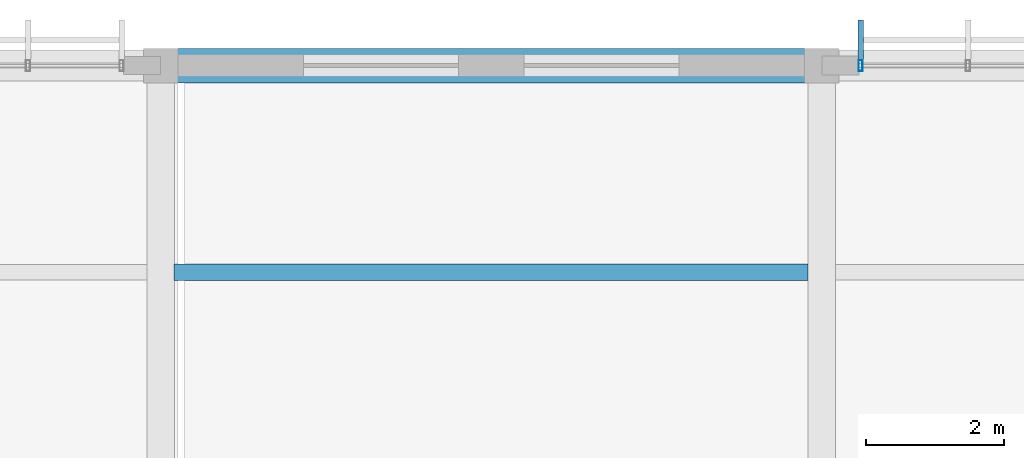
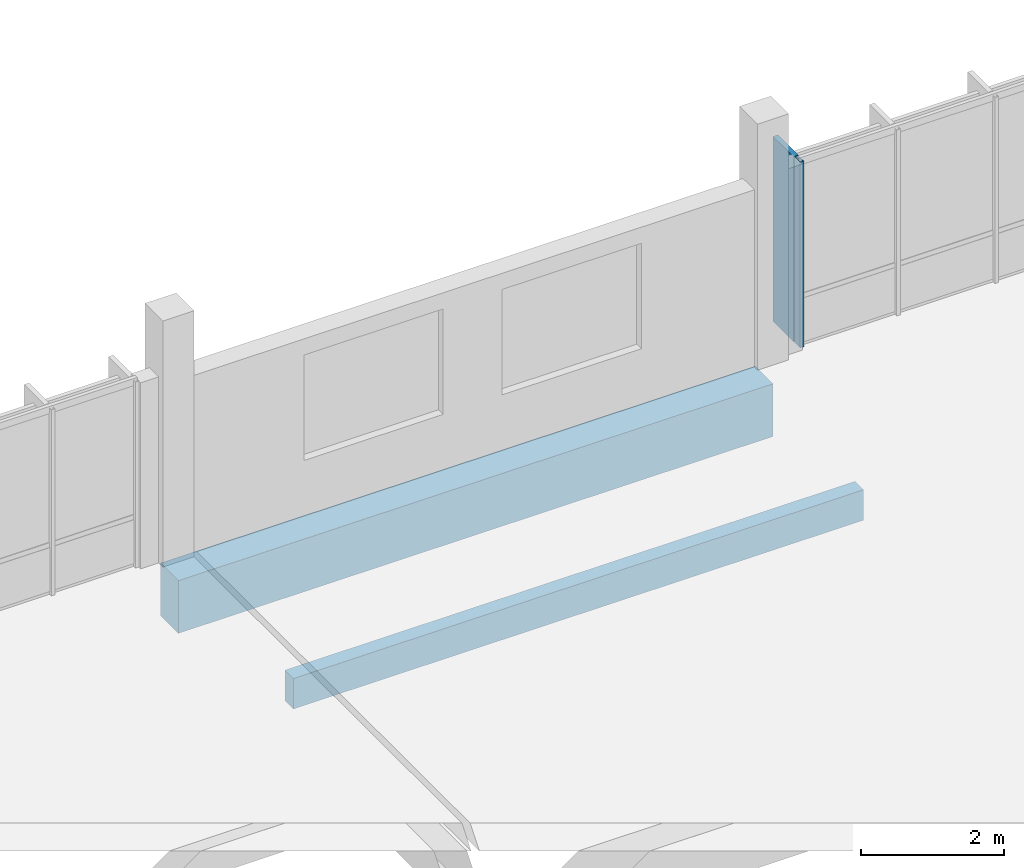
# One storey, part 131 of 182: 2 beams, 2 members, 1 element without a shape of its own.
"""IFC4 building model written with IfcOpenShell, lengths in metres."""

import ifcopenshell
import ifcopenshell.guid

model = None  # the IFC model being written
_history = None  # IfcOwnerHistory: only IFC2X3 demands one
_inside = {}  # id of a spatial element -> (the spatial element, [elements in it])
_under = {}  # id of a project, library or spatial element -> (it, [spatial elements below it])
_declared = {}  # id of a project -> (the project, [libraries it declares])
_typed = {}  # id of a type object -> (the type object, [elements of that type])
_made_of = {}  # id of a material, layer set ... -> (it, [elements and type objects made of it])


def new_model(schema):
    """Start an empty IFC model of exactly this schema.

    Asked for "IFC4X3", IfcOpenShell would pick the latest addendum, in which some entities
    have other attributes; the version numbers below select the first issue.
    IFC2X3 requires an IfcOwnerHistory on every rooted entity: one is made here for all.
    """
    global model, _history
    if schema == "IFC4X3":
        model = ifcopenshell.file(schema_version=(4, 3, 0, 0))
    else:
        model = ifcopenshell.file(schema=schema)
    _inside.clear()
    _under.clear()
    _declared.clear()
    _typed.clear()
    _made_of.clear()
    _history = None
    if model.schema == "IFC2X3":
        org = make("IfcOrganization", Name="unknown")
        user = make(
            "IfcPersonAndOrganization",
            ThePerson=make("IfcPerson", FamilyName="unknown"),
            TheOrganization=org,
        )
        app = make(
            "IfcApplication",
            ApplicationDeveloper=org,
            Version="unknown",
            ApplicationFullName="unknown",
            ApplicationIdentifier="unknown",
        )
        _history = make(
            "IfcOwnerHistory",
            OwningUser=user,
            OwningApplication=app,
            ChangeAction="ADDED",
            CreationDate=0,
        )
    return model


def make(cls, **values):
    """One entity of the class cls with the attributes given. An attribute that is None is left unset."""
    return model.create_entity(
        cls, **{name: value for name, value in values.items() if value is not None}
    )


def rooted(cls, **values):
    """An entity with a GlobalId (a new one), such as an element, a storey or a relation."""
    return make(cls, GlobalId=ifcopenshell.guid.new(), OwnerHistory=_history, **values)


def si_unit(unit_type, name, prefix=None):
    """IfcSIUnit, for example si_unit("LENGTHUNIT", "METRE", prefix="MILLI")."""
    return make("IfcSIUnit", UnitType=unit_type, Prefix=prefix, Name=name)


def assignment(units):
    """IfcUnitAssignment: the units of a project."""
    return None if units is None else make("IfcUnitAssignment", Units=units)


def point(xyz):
    """IfcCartesianPoint."""
    return None if xyz is None else make("IfcCartesianPoint", Coordinates=xyz)


def direction(xyz):
    """IfcDirection."""
    return None if xyz is None else make("IfcDirection", DirectionRatios=xyz)


def frame(location, z_axis=None, x_axis=None):
    """IfcAxis2Placement3D, a coordinate frame: its origin and axes. An axis left out is left unset."""
    return make(
        "IfcAxis2Placement3D",
        Location=point(location),
        Axis=direction(z_axis),
        RefDirection=direction(x_axis),
    )


def frame_2d(location, x_axis=None):
    """IfcAxis2Placement2D, a coordinate frame in the plane: its origin and x axis."""
    return make(
        "IfcAxis2Placement2D", Location=point(location), RefDirection=direction(x_axis)
    )


def origin():
    """The frame at (0, 0, 0) with its axes left unset."""
    return frame((0.0, 0.0, 0.0))


def origin_2d():
    """The frame at (0, 0) in the plane with its x axis left unset."""
    return frame_2d((0.0, 0.0))


def place(relative_to, where):
    """IfcLocalPlacement: puts the frame where relative to a parent placement (None: the world)."""
    return make(
        "IfcLocalPlacement", PlacementRelTo=relative_to, RelativePlacement=where
    )


def context(
    kind, dimensions, precision=None, world=None, true_north=None, identifier=None
):
    """IfcGeometricRepresentationContext, for example the 3D "Model" context."""
    return make(
        "IfcGeometricRepresentationContext",
        ContextIdentifier=identifier,
        ContextType=kind,
        CoordinateSpaceDimension=dimensions,
        Precision=precision,
        WorldCoordinateSystem=world,
        TrueNorth=true_north,
    )


def subcontext(parent, identifier, kind, view, scale=None):
    """IfcGeometricRepresentationSubContext, for example "Body" below "Model"."""
    return make(
        "IfcGeometricRepresentationSubContext",
        ContextIdentifier=identifier,
        ContextType=kind,
        ParentContext=parent,
        TargetScale=scale,
        TargetView=view,
    )


def project(units=None, contexts=None):
    """IfcProject with its units and contexts."""
    return rooted(
        "IfcProject",
        Name="project",
        RepresentationContexts=contexts,
        UnitsInContext=assignment(units),
    )


def spatial(cls, under=None, at=None, **own):
    """A site, building, storey or space (cls), placed at a placement, below another one or the project."""
    s = rooted(cls, ObjectPlacement=at, **own)
    if under is not None:
        _under.setdefault(under.id(), (under, []))[1].append(s)
    return s


def profile(cls, at=None, kind="AREA", **sizes):
    """A parametric profile (cls). Its sizes go by their IFC names, for example OverallWidth=200.0."""
    return make(cls, ProfileType=kind, Position=at, **sizes)


def rectangle(**sizes):
    """IfcRectangleProfileDef."""
    return profile("IfcRectangleProfileDef", **sizes)


def hollow_rectangle(**sizes):
    """IfcRectangleHollowProfileDef."""
    return profile("IfcRectangleHollowProfileDef", **sizes)


def extrude(swept, where, along, depth):
    """IfcExtrudedAreaSolid: the profile swept, set in the frame where, extruded along a direction by depth."""
    return make(
        "IfcExtrudedAreaSolid",
        SweptArea=swept,
        Position=where,
        ExtrudedDirection=direction(along),
        Depth=depth,
    )


def shape(context_of_items, identifier, shape_type, items):
    """IfcShapeRepresentation: the items that make up one representation, for example the "Body"."""
    return make(
        "IfcShapeRepresentation",
        ContextOfItems=context_of_items,
        RepresentationIdentifier=identifier,
        RepresentationType=shape_type,
        Items=items,
    )


def material(Name=None, Category=None):
    """IfcMaterial."""
    return make("IfcMaterial", Name=Name, Category=Category)


def material_profile(
    of_material, cross_section, Name=None, Category=None, Priority=None
):
    """IfcMaterialProfile: a cross section and its material."""
    return make(
        "IfcMaterialProfile",
        Name=Name,
        Material=of_material,
        Profile=cross_section,
        Priority=Priority,
        Category=Category,
    )


def profile_set(profiles, Name=None, composite=None):
    """IfcMaterialProfileSet."""
    return make(
        "IfcMaterialProfileSet",
        Name=Name,
        MaterialProfiles=profiles,
        CompositeProfile=composite,
    )


def made_of(thing, what):
    """Note that an element or type object is made of a material, layer set ...; save() writes the relation."""
    if what is not None:
        _made_of.setdefault(what.id(), (what, []))[1].append(thing)
    return thing


def type_object(cls, material=None, **own):
    """A type object (cls), such as IfcWallType, which elements share."""
    return made_of(rooted(cls, **own), material)


def element(
    cls,
    number,
    at=None,
    inside=None,
    cuts=None,
    type_object=None,
    material=None,
    context=None,
    identifier="Body",
    shape_type=None,
    held_by="IfcProductDefinitionShape",
    body=None,
    shapes=None,
    **own,
):
    """One element of the class cls, such as IfcWall. Its Tag is "e" and its number.

    at: its placement. inside: the storey or other place that contains it. cuts: it is an
    opening in that element (IfcRelVoidsElement). A single representation is given by context,
    identifier, shape_type and body (its items); several are given by shapes. held_by: the class
    of the entity that holds the representations. save() writes the other relations.
    """
    e = rooted(cls, Tag="e%d" % number, ObjectPlacement=at, **own)
    if body is not None:
        shapes = [shape(context, identifier, shape_type, body)]
    if shapes is not None:
        e.Representation = make(held_by, Representations=shapes)
    if inside is not None:
        _inside.setdefault(inside.id(), (inside, []))[1].append(e)
    if cuts is not None:
        rooted(
            "IfcRelVoidsElement", RelatingBuildingElement=cuts, RelatedOpeningElement=e
        )
    if type_object is not None:
        _typed.setdefault(type_object.id(), (type_object, []))[1].append(e)
    return made_of(e, material)


def aggregate(whole, parts):
    """IfcRelAggregates: a whole, such as a stair, and the parts it consists of."""
    return rooted("IfcRelAggregates", RelatingObject=whole, RelatedObjects=parts)


def save(model, path):
    """Write the relations noted so far, then the file.

    IfcRelAggregates (storeys below a building ...), IfcRelContainedInSpatialStructure (elements
    in a storey), IfcRelDefinesByType, IfcRelAssociatesMaterial and IfcRelDeclares: one each for
    every whole, place, type object, material and project.
    """
    for whole, parts in _under.values():
        aggregate(whole, parts)
    for where, things in _inside.values():
        rooted(
            "IfcRelContainedInSpatialStructure",
            RelatedElements=things,
            RelatingStructure=where,
        )
    for kind, things in _typed.values():
        rooted("IfcRelDefinesByType", RelatedObjects=things, RelatingType=kind)
    for what, things in _made_of.values():
        rooted("IfcRelAssociatesMaterial", RelatedObjects=things, RelatingMaterial=what)
    for by, libraries in _declared.values():
        rooted("IfcRelDeclares", RelatingContext=by, RelatedDefinitions=libraries)
    model.write(path)


model = new_model("IFC4")

# Units and contexts
model_context = context("Model", 3, precision=1e-05, world=origin(), true_north=direction((0.0, 1.0)))
body_context = subcontext(model_context, "Body", "Model", "MODEL_VIEW")
ifc_project = project(units=[si_unit("LENGTHUNIT", "METRE"), si_unit("AREAUNIT", "SQUARE_METRE"), si_unit("VOLUMEUNIT", "CUBIC_METRE"), si_unit("PLANEANGLEUNIT", "RADIAN"), si_unit("MASSUNIT", "GRAM", prefix="KILO")], contexts=[model_context])

# Site, building, storey
site_placement = place(None, origin())
site = spatial("IfcSite", under=ifc_project, at=site_placement, CompositionType="ELEMENT")
building_placement = place(site_placement, origin())
building = spatial("IfcBuilding", under=site, at=building_placement, Name="Chiffa Square Polytechnic", CompositionType="ELEMENT")
storey_placement = place(building_placement, frame((0.0, 0.0, 9.60009765625)))
storey = spatial("IfcBuildingStorey", under=building, at=storey_placement, Name="L02", CompositionType="ELEMENT", Elevation=9.60009765625)

# Beam
ifc_material_1 = material(Name="Concrete C40/50", Category="concrete")
ifc_material_profile_1 = material_profile(ifc_material_1, rectangle(XDim=0.5, YDim=0.89990234375, at=origin_2d()), Name="RC 500x900")
ifc_profile_set_1 = profile_set([ifc_material_profile_1], Name="Concrete C40/50")
beam_type_1 = type_object("IfcBeamType", Name="BM-RC-500X900", PredefinedType="BEAM", material=ifc_profile_set_1)
beam_1_placement = place(storey_placement, frame((48.0, 130.800048828125, -0.77001953125), z_axis=(1.0, 0.0, 0.0), x_axis=(0.0, 1.0, 0.0)))
element("IfcBeam", 1, at=beam_1_placement, inside=storey, type_object=beam_type_1, Name="Primary floor girder BM-V5-L02-X-0480-1308", PredefinedType="BEAM", context=body_context, shape_type="SweptSolid", body=[
    extrude(rectangle(XDim=0.5, YDim=0.89990234375, at=origin_2d()), origin(), (0.0, 0.0, 1.0), 9.60009765625),
])

# Curtain wall, members
ifc_material_2 = material(Name="Aluminium EN AW-6060 T66 and glulam shading", Category="wood")
curtain_wall_type = type_object("IfcCurtainWallType", Name="CW-VERT-600X380", PredefinedType="USERDEFINED", material=ifc_material_2)
curtain_wall_placement = place(storey_placement, origin())
curtain_wall = element("IfcCurtainWall", 2, at=curtain_wall_placement, inside=storey, type_object=curtain_wall_type, Name="Curtain wall CW-V5-L02-220", ObjectType="CURTAIN WALL", PredefinedType="USERDEFINED")
ifc_material_3 = material(Name="Aluminium EN AW-6060 T66", Category="aluminium")
ifc_material_profile_2 = material_profile(ifc_material_3, hollow_rectangle(XDim=0.06005859375, YDim=0.159912109375, WallThickness=0.00390625, at=origin_2d()), Name="ALU 60x160x4")
ifc_profile_set_2 = profile_set([ifc_material_profile_2], Name="Aluminium EN AW-6060 T66")
member_type_1 = type_object("IfcMemberType", Name="CWM-ALU-65X150", PredefinedType="MULLION", material=ifc_profile_set_2)
member_1_placement = place(storey_placement, frame((58.1650390625, 130.800048828125, 0.0), z_axis=(0.0, 0.0, 1.0), x_axis=(1.0, 0.0, 0.0)))
member_1 = element("IfcMember", 3, at=member_1_placement, type_object=member_type_1, Name="Curtain wall mullion CW-V5-L02-220-M05", PredefinedType="MULLION", context=body_context, shape_type="SweptSolid", body=[
    extrude(hollow_rectangle(XDim=0.06005859375, YDim=0.159912109375, WallThickness=0.00390625, at=origin_2d()), origin(), (0.0, 0.0, 1.0), 3.1748046875),
])
ifc_material_4 = material(Name="Glulam GL28h", Category="wood")
ifc_material_profile_3 = material_profile(ifc_material_4, rectangle(XDim=0.080078125, YDim=0.580078125, at=origin_2d()), Name="GL28h 80x580")
ifc_profile_set_3 = profile_set([ifc_material_profile_3], Name="Glulam GL28h")
member_type_2 = type_object("IfcMemberType", Name="CWM-GL-80X580", PredefinedType="MULLION", material=ifc_profile_set_3)
member_2_placement = place(storey_placement, frame((58.1650390625, 131.172119140625, 0.010009765625), z_axis=(0.0, 0.0, 1.0), x_axis=(-1.0, 0.0, 0.0)))
member_2 = element("IfcMember", 4, at=member_2_placement, type_object=member_type_2, Name="Exterior glulam solar fin CW-V5-L02-220-FN05", PredefinedType="MULLION", context=body_context, shape_type="SweptSolid", body=[
    extrude(rectangle(XDim=0.080078125, YDim=0.580078125, at=origin_2d()), origin(), (0.0, 0.0, 1.0), 3.15478515625),
])
aggregate(curtain_wall, [member_1, member_2])

# Beam
ifc_material_profile_4 = material_profile(ifc_material_4, rectangle(XDim=0.239990234375, YDim=0.52001953125, at=origin_2d()), Name="GL28h 240x520")
ifc_profile_set_4 = profile_set([ifc_material_profile_4], Name="Glulam GL28h")
beam_type_2 = type_object("IfcBeamType", Name="JST-GL-240X520", PredefinedType="JOIST", material=ifc_profile_set_4)
beam_2_placement = place(storey_placement, frame((48.197998046875, 127.800048828125, -0.580078125), z_axis=(1.0, 0.0, 0.0), x_axis=(0.0, 1.0, 0.0)))
element("IfcBeam", 5, at=beam_2_placement, inside=storey, type_object=beam_type_2, Name="Secondary floor joist JST-V5-L02-0480-1278", PredefinedType="JOIST", context=body_context, shape_type="SweptSolid", body=[
    extrude(rectangle(XDim=0.239990234375, YDim=0.52001953125, at=origin_2d()), origin(), (0.0, 0.0, 1.0), 9.2041015625),
])

save(model, "model.ifc")
